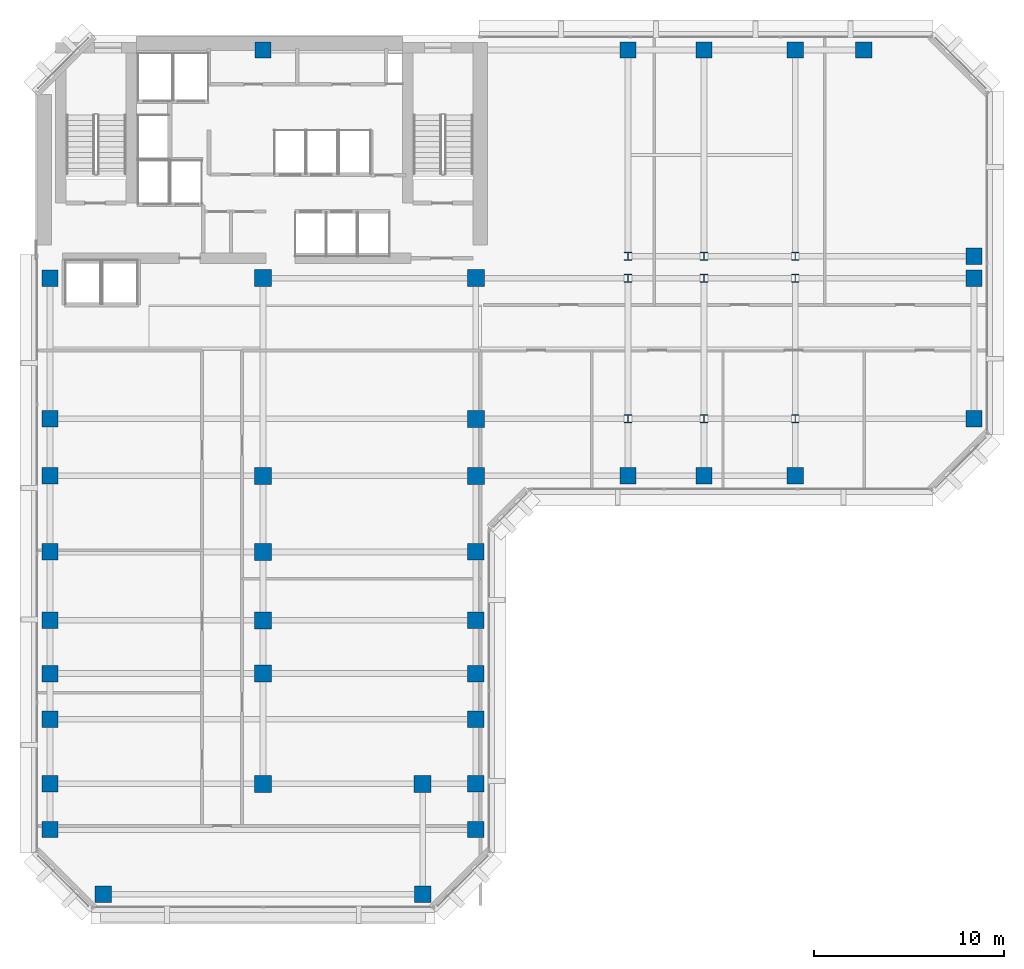
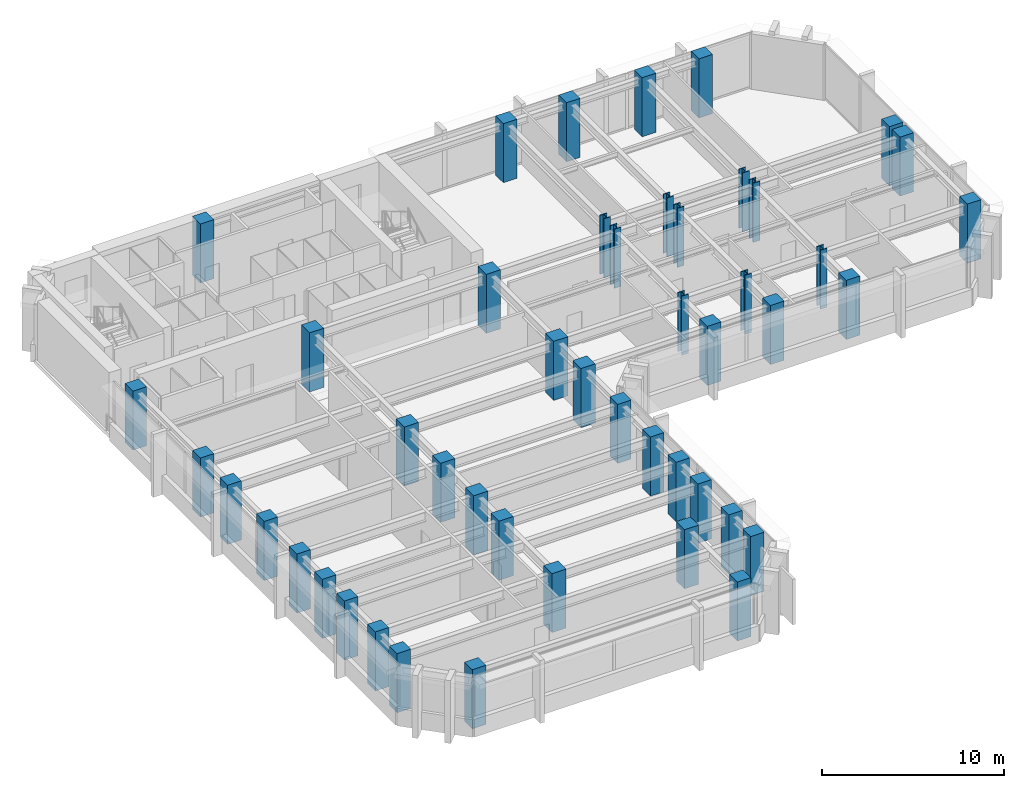
# One storey, part 1 of 11: 47 columns.
"""IFC4 building model written with IfcOpenShell, lengths in metres."""

from ifc_helpers import new_model, si_unit, direction, frame, origin, origin_2d, place, context, subcontext, project, spatial, rectangle, i_section, extrude, material, material_profile, profile_set, type_object, element, save


model = new_model("IFC4")

# Units and contexts
model_context = context("Model", 3, precision=1e-05, world=origin(), true_north=direction((0.0, 1.0)))
body_context = subcontext(model_context, "Body", "Model", "MODEL_VIEW")
ifc_project = project(units=[si_unit("LENGTHUNIT", "METRE"), si_unit("AREAUNIT", "SQUARE_METRE"), si_unit("VOLUMEUNIT", "CUBIC_METRE"), si_unit("PLANEANGLEUNIT", "RADIAN"), si_unit("MASSUNIT", "GRAM", prefix="KILO")], contexts=[model_context])

# Site, building, storey
site_placement = place(None, origin())
site = spatial("IfcSite", under=ifc_project, at=site_placement, CompositionType="ELEMENT")
building_placement = place(site_placement, origin())
building = spatial("IfcBuilding", under=site, at=building_placement, Name="Kefirva Bronze Tower", CompositionType="ELEMENT")
storey_placement = place(building_placement, frame((0.0, 0.0, 154.77001953125)))
storey = spatial("IfcBuildingStorey", under=building, at=storey_placement, Name="L37", CompositionType="ELEMENT", Elevation=154.77001953125)

# Columns
ifc_material_1 = material(Name="Concrete C60/75", Category="concrete")
ifc_material_profile_1 = material_profile(ifc_material_1, rectangle(XDim=0.860107421875, YDim=0.860107421875, at=origin_2d()), Name="RC 860x860")
ifc_profile_set_1 = profile_set([ifc_material_profile_1], Name="Concrete C60/75")
column_type_1 = type_object("IfcColumnType", Name="RC Column 860x860 Ext", PredefinedType="COLUMN", material=ifc_profile_set_1)
for number, where, z_axis, x_axis, name in (
    (1, (0.800048828125, 4.199951171875, 0.0), (0.0, 0.0, 1.0), (1.0, 0.0, 0.0), "L37 Column C008_042"),
    (2, (0.800048828125, 6.60009765625, 0.0), (0.0, 0.0, 1.0), (1.0, 0.0, 0.0), "L37 Column C008_066"),
    (3, (0.800048828125, 10.0, 0.0), (0.0, 0.0, 1.0), (1.0, 0.0, 0.0), "L37 Column C008_100"),
    (4, (0.800048828125, 12.39990234375, 0.0), (0.0, 0.0, 1.0), (1.0, 0.0, 0.0), "L37 Column C008_124"),
    (5, (0.800048828125, 15.199951171875, 0.0), (0.0, 0.0, 1.0), (1.0, 0.0, 0.0), "L37 Column C008_152"),
    (6, (0.800048828125, 18.800048828125, 0.0), (0.0, 0.0, 1.0), (1.0, 0.0, 0.0), "L37 Column C008_188"),
    (7, (0.800048828125, 22.800048828125, 0.0), (0.0, 0.0, 1.0), (1.0, 0.0, 0.0), "L37 Column C008_228"),
    (8, (0.800048828125, 25.800048828125, 0.0), (0.0, 0.0, 1.0), (1.0, 0.0, 0.0), "L37 Column C008_258"),
    (9, (0.800048828125, 33.199951171875, 0.0), (0.0, 0.0, 1.0), (1.0, 0.0, 0.0), "L37 Column C008_332"),
    (10, (3.60009765625, 0.800048828125, 0.0), (0.0, 0.0, 1.0), (1.0, 0.0, 0.0), "L37 Column C036_008"),
    (11, (12.0, 45.199951171875, 0.0), (0.0, 0.0, 1.0), (1.0, 0.0, 0.0), "L37 Column C120_452"),
    (12, (20.39990234375, 0.800048828125, 0.0), (0.0, 0.0, 1.0), (1.0, 0.0, 0.0), "L37 Column C204_008"),
    (13, (23.199951171875, 4.199951171875, 0.0), (0.0, 0.0, 1.0), (1.0, 0.0, 0.0), "L37 Column C232_042"),
    (14, (23.199951171875, 6.60009765625, 0.0), (0.0, 0.0, 1.0), (1.0, 0.0, 0.0), "L37 Column C232_066"),
    (15, (23.199951171875, 10.0, 0.0), (0.0, 0.0, 1.0), (1.0, 0.0, 0.0), "L37 Column C232_100"),
    (16, (23.199951171875, 12.39990234375, 0.0), (0.0, 0.0, 1.0), (1.0, 0.0, 0.0), "L37 Column C232_124"),
    (17, (23.199951171875, 15.199951171875, 0.0), (0.0, 0.0, 1.0), (1.0, 0.0, 0.0), "L37 Column C232_152"),
    (18, (23.199951171875, 18.800048828125, 0.0), (0.0, 0.0, 1.0), (1.0, 0.0, 0.0), "L37 Column C232_188"),
    (19, (31.199951171875, 22.800048828125, 0.0), (0.0, 0.0, 1.0), (1.0, 0.0, 0.0), "L37 Column C312_228"),
    (20, (31.199951171875, 45.199951171875, 0.0), (0.0, 0.0, 1.0), (1.0, 0.0, 0.0), "L37 Column C312_452"),
    (21, (35.199951171875, 22.800048828125, 0.0), (0.0, 0.0, 1.0), (1.0, 0.0, 0.0), "L37 Column C352_228"),
    (22, (35.199951171875, 45.199951171875, 0.0), (0.0, 0.0, 1.0), (1.0, 0.0, 0.0), "L37 Column C352_452"),
    (23, (40.0, 22.800048828125, 0.0), (0.0, 0.0, 1.0), (1.0, 0.0, 0.0), "L37 Column C400_228"),
    (24, (40.0, 45.199951171875, 0.0), (0.0, 0.0, 1.0), (1.0, 0.0, 0.0), "L37 Column C400_452"),
    (25, (43.60009765625, 45.199951171875, 0.0), (0.0, 0.0, 1.0), (1.0, 0.0, 0.0), "L37 Column C436_452"),
    (26, (49.39990234375, 25.800048828125, 0.0), (0.0, 0.0, 1.0), (1.0, 0.0, 0.0), "L37 Column C494_258"),
    (27, (49.39990234375, 33.199951171875, 0.0), (0.0, 0.0, 1.0), (1.0, 0.0, 0.0), "L37 Column C494_332"),
    (28, (49.39990234375, 34.35009765625, 0.0), (0.0, 0.0, 1.0), (1.0, 0.0, 0.0), "L37 Column C494_344"),
):
    element("IfcColumn", number, at=place(storey_placement, frame(where, z_axis=z_axis, x_axis=x_axis)), inside=storey, type_object=column_type_1, Name=name, PredefinedType="COLUMN", context=body_context, shape_type="SweptSolid", body=[
        extrude(rectangle(XDim=0.860107421875, YDim=0.860107421875, at=origin_2d()), origin(), (0.0, 0.0, 1.0), 3.9599609375),
    ])
ifc_material_profile_2 = material_profile(ifc_material_1, rectangle(XDim=0.89990234375, YDim=0.89990234375, at=origin_2d()), Name="RC 900x900")
ifc_profile_set_2 = profile_set([ifc_material_profile_2], Name="Concrete C60/75")
column_type_2 = type_object("IfcColumnType", Name="RC Column 900x900 Int", PredefinedType="COLUMN", material=ifc_profile_set_2)
for number, where, z_axis, x_axis, name in (
    (29, (12.0, 6.60009765625, 0.0), (0.0, 0.0, 1.0), (1.0, 0.0, 0.0), "L37 Column C120_066"),
    (30, (12.0, 12.39990234375, 0.0), (0.0, 0.0, 1.0), (1.0, 0.0, 0.0), "L37 Column C120_124"),
    (31, (12.0, 15.199951171875, 0.0), (0.0, 0.0, 1.0), (1.0, 0.0, 0.0), "L37 Column C120_152"),
    (32, (12.0, 18.800048828125, 0.0), (0.0, 0.0, 1.0), (1.0, 0.0, 0.0), "L37 Column C120_188"),
    (33, (12.0, 22.800048828125, 0.0), (0.0, 0.0, 1.0), (1.0, 0.0, 0.0), "L37 Column C120_228"),
    (34, (12.0, 33.199951171875, 0.0), (0.0, 0.0, 1.0), (1.0, 0.0, 0.0), "L37 Column C120_332"),
    (35, (20.39990234375, 6.60009765625, 0.0), (0.0, 0.0, 1.0), (1.0, 0.0, 0.0), "L37 Column C204_066"),
    (36, (23.199951171875, 22.800048828125, 0.0), (0.0, 0.0, 1.0), (1.0, 0.0, 0.0), "L37 Column C232_228"),
    (37, (23.199951171875, 25.800048828125, 0.0), (0.0, 0.0, 1.0), (1.0, 0.0, 0.0), "L37 Column C232_258"),
    (38, (23.199951171875, 33.199951171875, 0.0), (0.0, 0.0, 1.0), (1.0, 0.0, 0.0), "L37 Column C232_332"),
):
    element("IfcColumn", number, at=place(storey_placement, frame(where, z_axis=z_axis, x_axis=x_axis)), inside=storey, type_object=column_type_2, Name=name, PredefinedType="COLUMN", context=body_context, shape_type="SweptSolid", body=[
        extrude(rectangle(XDim=0.89990234375, YDim=0.89990234375, at=origin_2d()), origin(), (0.0, 0.0, 1.0), 3.9599609375),
    ])
ifc_material_2 = material(Name="Steel S460", Category="steel")
ifc_material_profile_3 = material_profile(ifc_material_2, i_section(OverallWidth=0.41796875, OverallDepth=0.455078125, WebThickness=0.031982421875, FlangeThickness=0.051025390625, at=origin_2d()), Name="HD 400x551")
ifc_profile_set_3 = profile_set([ifc_material_profile_3], Name="Steel S460")
column_type_3 = type_object("IfcColumnType", Name="Steel Column HD 400x551", PredefinedType="COLUMN", material=ifc_profile_set_3)
for number, where, z_axis, x_axis, name in (
    (39, (31.199951171875, 25.800048828125, 0.0), (0.0, 0.0, 1.0), (1.0, 0.0, 0.0), "L37 Column C312_258"),
    (40, (31.199951171875, 33.199951171875, 0.0), (0.0, 0.0, 1.0), (1.0, 0.0, 0.0), "L37 Column C312_332"),
    (41, (31.199951171875, 34.35009765625, 0.0), (0.0, 0.0, 1.0), (1.0, 0.0, 0.0), "L37 Column C312_344"),
    (42, (35.199951171875, 25.800048828125, 0.0), (0.0, 0.0, 1.0), (1.0, 0.0, 0.0), "L37 Column C352_258"),
    (43, (35.199951171875, 33.199951171875, 0.0), (0.0, 0.0, 1.0), (1.0, 0.0, 0.0), "L37 Column C352_332"),
    (44, (35.199951171875, 34.35009765625, 0.0), (0.0, 0.0, 1.0), (1.0, 0.0, 0.0), "L37 Column C352_344"),
    (45, (40.0, 25.800048828125, 0.0), (0.0, 0.0, 1.0), (1.0, 0.0, 0.0), "L37 Column C400_258"),
    (46, (40.0, 33.199951171875, 0.0), (0.0, 0.0, 1.0), (1.0, 0.0, 0.0), "L37 Column C400_332"),
    (47, (40.0, 34.35009765625, 0.0), (0.0, 0.0, 1.0), (1.0, 0.0, 0.0), "L37 Column C400_344"),
):
    element("IfcColumn", number, at=place(storey_placement, frame(where, z_axis=z_axis, x_axis=x_axis)), inside=storey, type_object=column_type_3, Name=name, PredefinedType="COLUMN", context=body_context, shape_type="SweptSolid", body=[
        extrude(i_section(OverallWidth=0.41796875, OverallDepth=0.455078125, WebThickness=0.031982421875, FlangeThickness=0.051025390625, at=origin_2d()), origin(), (0.0, 0.0, 1.0), 3.9599609375),
    ])

save(model, "model.ifc")
